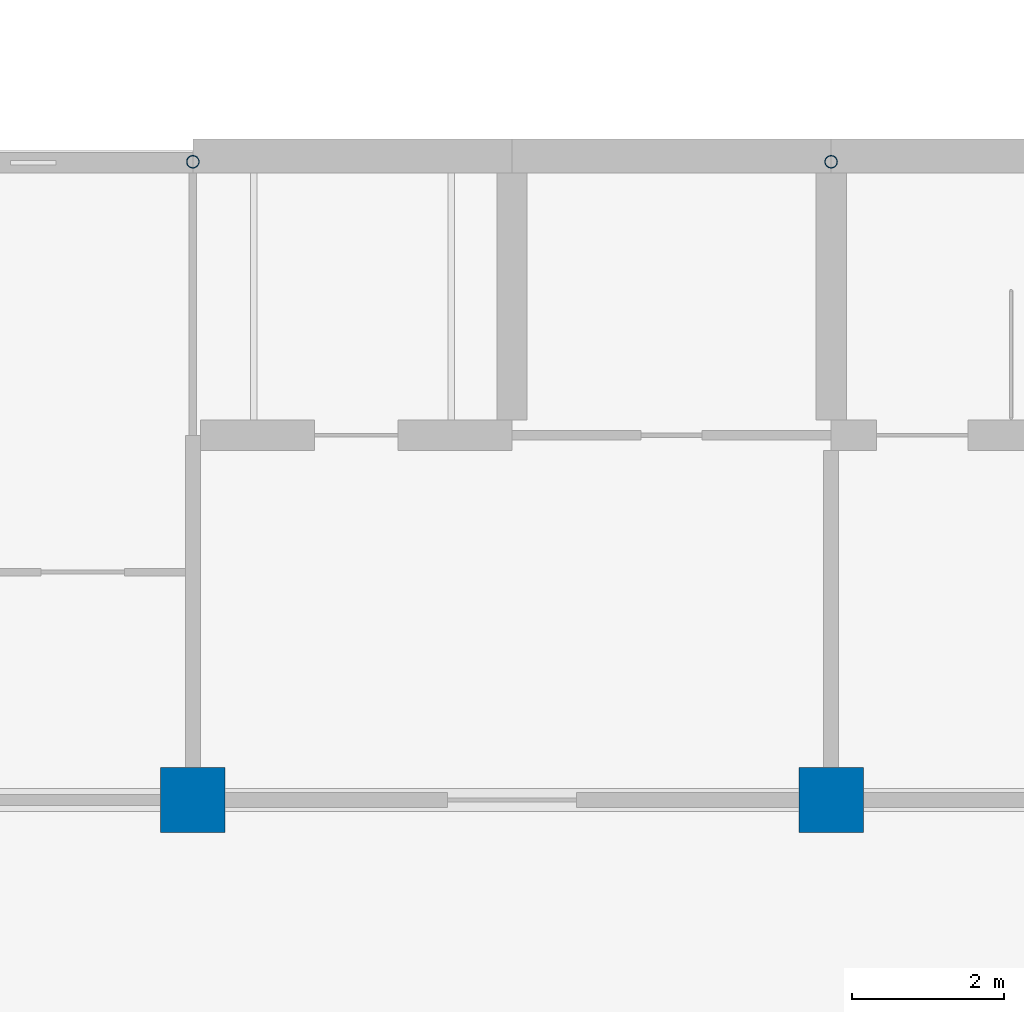
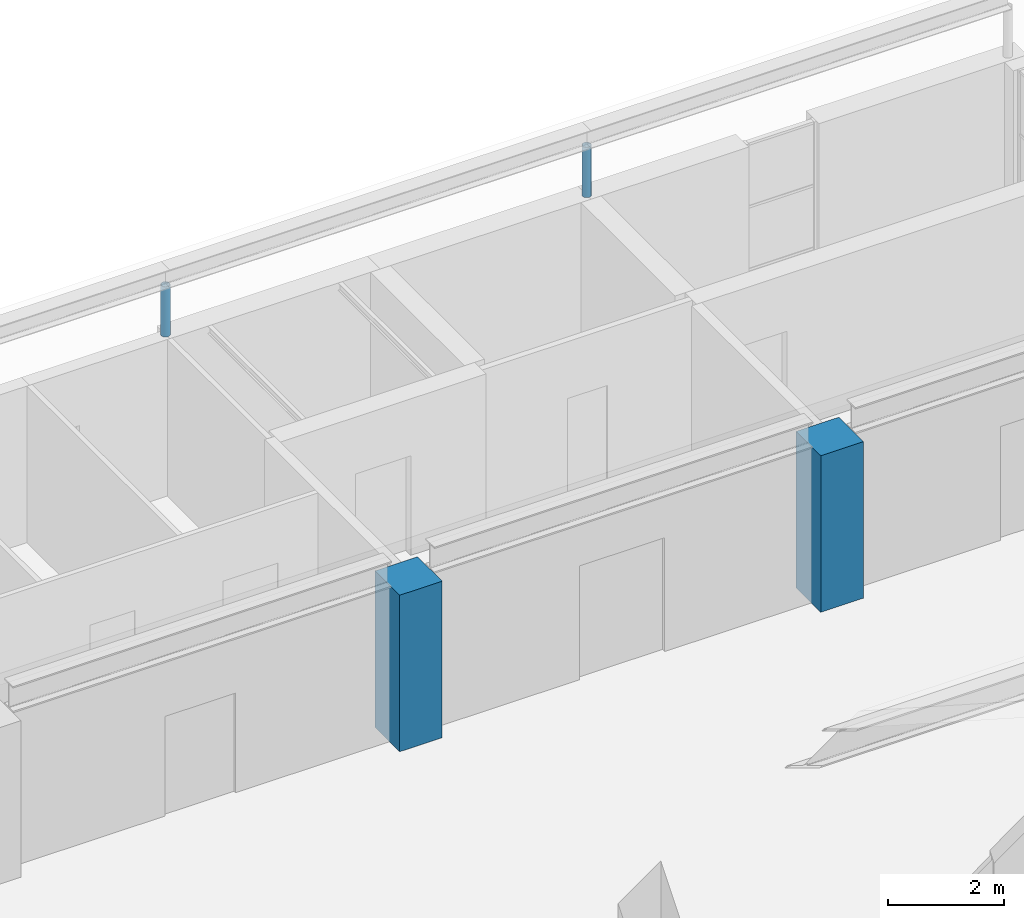
# One storey, part 9 of 94: 4 columns.
"""IFC4 building model written with IfcOpenShell, lengths in metres."""

from ifc_helpers import new_model, si_unit, direction, frame, origin, origin_2d, place, context, subcontext, project, spatial, rectangle, hollow_circle, extrude, material, material_profile, profile_set, type_object, element, save


model = new_model("IFC4")

# Units and contexts
model_context = context("Model", 3, precision=1e-05, world=origin(), true_north=direction((0.0, 1.0)))
body_context = subcontext(model_context, "Body", "Model", "MODEL_VIEW")
ifc_project = project(units=[si_unit("LENGTHUNIT", "METRE"), si_unit("AREAUNIT", "SQUARE_METRE"), si_unit("VOLUMEUNIT", "CUBIC_METRE"), si_unit("PLANEANGLEUNIT", "RADIAN"), si_unit("MASSUNIT", "GRAM", prefix="KILO")], contexts=[model_context])

# Site, building, storey
site_placement = place(None, origin())
site = spatial("IfcSite", under=ifc_project, at=site_placement, CompositionType="ELEMENT")
building_placement = place(site_placement, origin())
building = spatial("IfcBuilding", under=site, at=building_placement, Name="Yavir Park General Hospital", CompositionType="ELEMENT")
storey_placement = place(building_placement, frame((0.0, 0.0, 4.5)))
storey = spatial("IfcBuildingStorey", under=building, at=storey_placement, Name="L01", CompositionType="ELEMENT", Elevation=4.5)

# Columns
ifc_material_1 = material(Name="Steel S355", Category="steel")
ifc_material_profile_1 = material_profile(ifc_material_1, hollow_circle(Radius=0.084228515625, WallThickness=0.008056640625, at=origin_2d()), Name="CHS168.3x8")
ifc_profile_set_1 = profile_set([ifc_material_profile_1], Name="Steel S355")
column_type_1 = type_object("IfcColumnType", Name="CHS 168.3x8 roof post", PredefinedType="COLUMN", material=ifc_profile_set_1)
for number, where, z_axis, x_axis, name in (
    (1, (50.39990234375, 75.60009765625, 3.300048828125), (0.0, 0.0, 1.0), (1.0, 0.0, 0.0), "C:CLIN:P3504"),
    (2, (58.800048828125, 75.60009765625, 3.300048828125), (0.0, 0.0, 1.0), (1.0, 0.0, 0.0), "C:CLIN:P3588"),
):
    element("IfcColumn", number, at=place(storey_placement, frame(where, z_axis=z_axis, x_axis=x_axis)), inside=storey, type_object=column_type_1, Name=name, PredefinedType="COLUMN", context=body_context, shape_type="SweptSolid", body=[
        extrude(hollow_circle(Radius=0.084228515625, WallThickness=0.008056640625, at=origin_2d()), origin(), (0.0, 0.0, 1.0), 1.057861328125),
    ])
ifc_material_2 = material(Name="Concrete C40/50", Category="concrete")
ifc_material_profile_2 = material_profile(ifc_material_2, rectangle(XDim=0.85009765625, YDim=0.85009765625, at=origin_2d()), Name="RC850x850")
ifc_profile_set_2 = profile_set([ifc_material_profile_2], Name="Concrete C40/50")
column_type_2 = type_object("IfcColumnType", Name="RC COLUMN 850x850", PredefinedType="COLUMN", material=ifc_profile_set_2)
for number, where, z_axis, x_axis, name in (
    (3, (50.39990234375, 67.199951171875, 0.0), (0.0, 0.0, 1.0), (1.0, 0.0, 0.0), "C:L01:7J"),
    (4, (58.800048828125, 67.199951171875, 0.0), (0.0, 0.0, 1.0), (1.0, 0.0, 0.0), "C:L01:8J"),
):
    element("IfcColumn", number, at=place(storey_placement, frame(where, z_axis=z_axis, x_axis=x_axis)), inside=storey, type_object=column_type_2, Name=name, PredefinedType="COLUMN", context=body_context, shape_type="SweptSolid", body=[
        extrude(rectangle(XDim=0.85009765625, YDim=0.85009765625, at=origin_2d()), origin(), (0.0, 0.0, 1.0), 3.300048828125),
    ])

save(model, "model.ifc")
